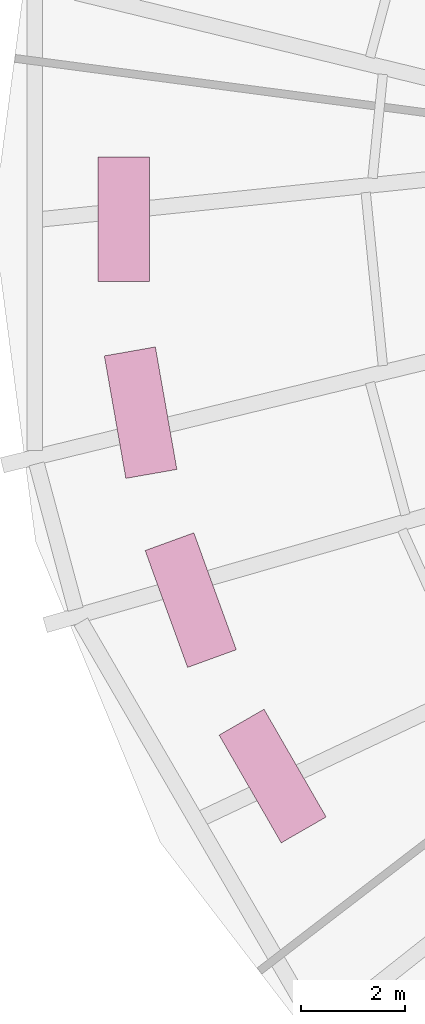
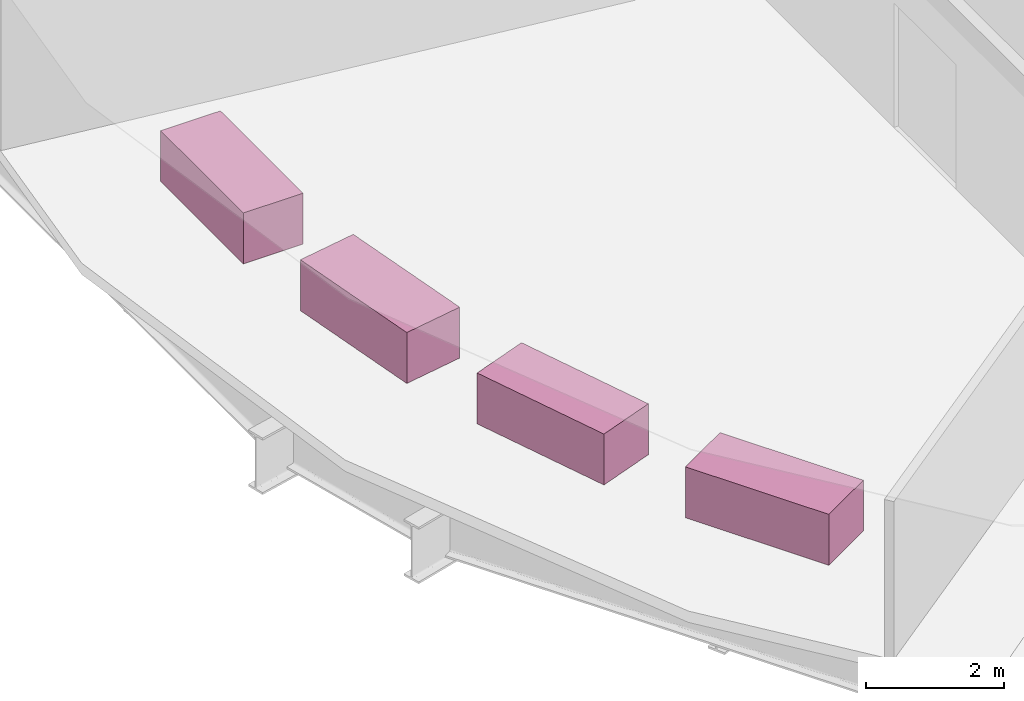
# One storey, part 7 of 7: 4 furniture elements.
"""IFC4 building model written with IfcOpenShell, lengths in metres."""

from ifc_helpers import new_model, si_unit, direction, frame, origin, origin_2d, place, context, subcontext, project, spatial, rectangle, extrude, element, save


model = new_model("IFC4")

# Units and contexts
model_context = context("Model", 3, precision=1e-05, world=origin(), true_north=direction((0.0, 1.0)))
body_context = subcontext(model_context, "Body", "Model", "MODEL_VIEW")
ifc_project = project(units=[si_unit("LENGTHUNIT", "METRE"), si_unit("AREAUNIT", "SQUARE_METRE"), si_unit("VOLUMEUNIT", "CUBIC_METRE"), si_unit("PLANEANGLEUNIT", "RADIAN"), si_unit("MASSUNIT", "GRAM", prefix="KILO")], contexts=[model_context])

# Site, building, storey
site_placement = place(None, origin())
site = spatial("IfcSite", under=ifc_project, at=site_placement, CompositionType="ELEMENT")
building_placement = place(site_placement, origin())
building = spatial("IfcBuilding", under=site, at=building_placement, Name="Golbaran Civic Tower", CompositionType="ELEMENT")
storey_placement = place(building_placement, frame((0.0, 0.0, 171.0)))
storey = spatial("IfcBuildingStorey", under=building, at=storey_placement, Name="L41", CompositionType="ELEMENT", Elevation=171.0)

# Furniture
for number, where, z_axis, x_axis, name in (
    (1, (-21.48291015625, 0.01220703125, 0.0), (0.0, 0.0, 1.0), (-0.000569762703, -0.999999837685, 0.0), "Sky garden planter L41-1"),
    (2, (-21.15869140625, -3.718505859375, 0.0), (0.0, 0.0, 1.0), (0.173087042753, -0.984906531419, 0.0), "Sky garden planter L41-2"),
    (3, (-20.191650390625, -7.336181640625, 0.0), (0.0, 0.0, 1.0), (0.341484686003, -0.939887338581, 0.0), "Sky garden planter L41-3"),
    (4, (-18.61083984375, -10.73095703125, 0.0), (0.0, 0.0, 1.0), (0.499506489867, -0.866310144567, 0.0), "Sky garden planter L41-4"),
):
    element("IfcFurniture", number, at=place(storey_placement, frame(where, z_axis=z_axis, x_axis=x_axis)), inside=storey, Name=name, ObjectType="PLANTER", PredefinedType="USERDEFINED", context=body_context, shape_type="SweptSolid", body=[
        extrude(rectangle(XDim=2.39990234375, YDim=1.0, at=origin_2d()), origin(), (0.0, 0.0, 1.0), 0.89990234375),
    ])

save(model, "model.ifc")
